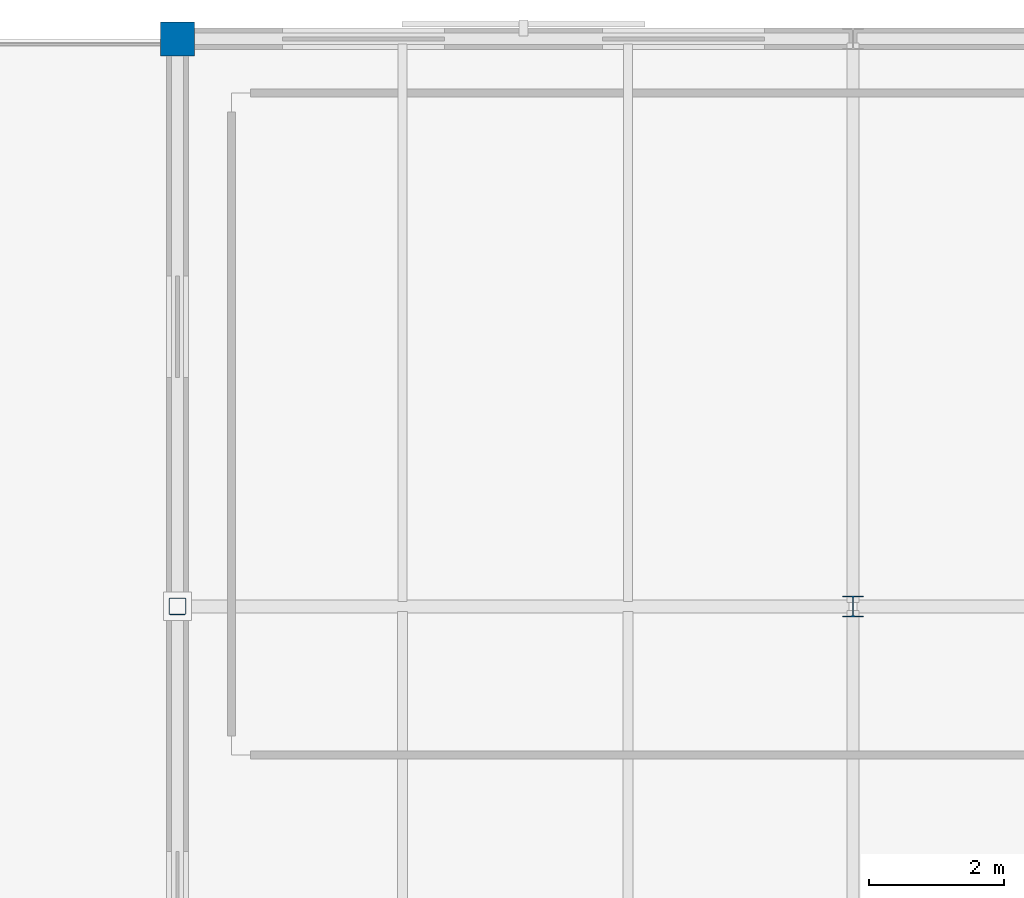
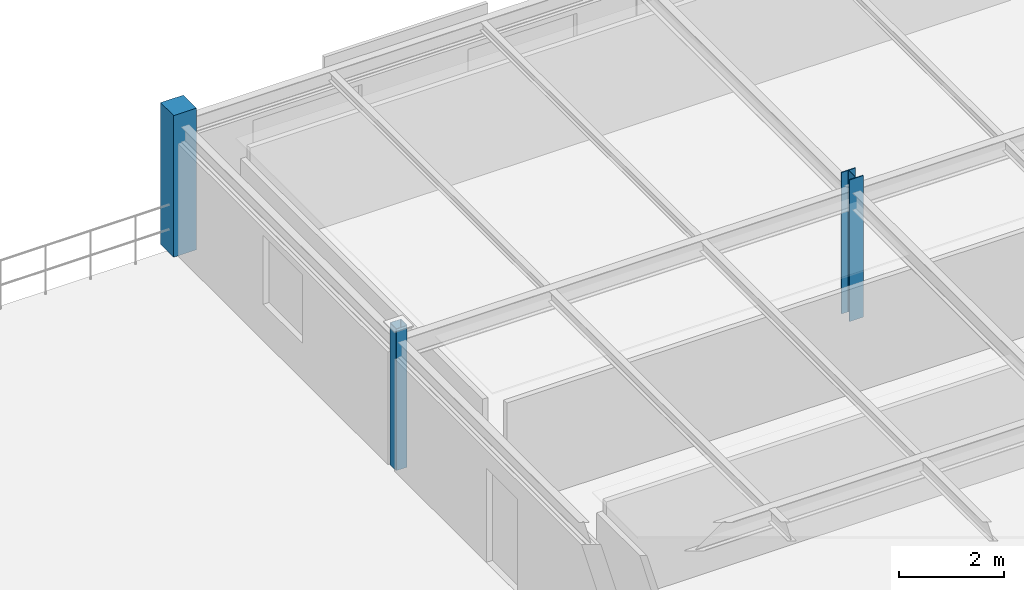
# One storey, part 3 of 23: 3 columns.
"""IFC4 building model written with IfcOpenShell, lengths in metres."""

from ifc_helpers import new_model, si_unit, derived_unit, direction, frame, origin, origin_2d_with_axis, place, context, subcontext, project, spatial, rectangle, hollow_rectangle, i_section, extrude, material, material_profile, profile_set, type_object, element, save


model = new_model("IFC4")

# Units and contexts
model_context = context("Model", 3, precision=1e-05, world=origin(), true_north=direction((0.0, 1.0)))
body_context = subcontext(model_context, "Body", "Model", "MODEL_VIEW")
ifc_project = project(units=[si_unit("LENGTHUNIT", "METRE"), si_unit("AREAUNIT", "SQUARE_METRE"), si_unit("VOLUMEUNIT", "CUBIC_METRE"), si_unit("PLANEANGLEUNIT", "RADIAN"), si_unit("MASSUNIT", "GRAM", prefix="KILO"), derived_unit("THERMALTRANSMITTANCEUNIT", [(si_unit("POWERUNIT", "WATT"), 1), (si_unit("LENGTHUNIT", "METRE"), -2), (si_unit("THERMODYNAMICTEMPERATUREUNIT", "KELVIN"), -1)])], contexts=[model_context])

# Site, building, storey
site_placement = place(None, origin())
site = spatial("IfcSite", under=ifc_project, at=site_placement, CompositionType="ELEMENT")
building_placement = place(site_placement, origin())
building = spatial("IfcBuilding", under=site, at=building_placement, Name="Cinnabar Yard Market Hall", CompositionType="ELEMENT")
storey_placement = place(building_placement, frame((0.0, 0.0, 12.0)))
storey = spatial("IfcBuildingStorey", under=building, at=storey_placement, Name="L03", CompositionType="ELEMENT", Elevation=12.0)

# Columns
ifc_material_1 = material(Name="Steel Grade 300 (300 MPa)", Category="steel")
ifc_material_profile_1 = material_profile(ifc_material_1, i_section(OverallWidth=0.307373046875, OverallDepth=0.314697265625, WebThickness=0.011962890625, FlangeThickness=0.018798828125, FilletRadius=0.0166015625, at=origin_2d_with_axis()), Name="310UC118")
ifc_profile_set_1 = profile_set([ifc_material_profile_1], Name="Steel Grade 300 (300 MPa)")
column_type_1 = type_object("IfcColumnType", Name="COL-C08", PredefinedType="COLUMN", material=ifc_profile_set_1)
column_1_placement = place(storey_placement, frame((86.0, 129.60009765625, 0.0), z_axis=(0.0, 0.0, 1.0), x_axis=(1.0, 0.0, 0.0)))
element("IfcColumn", 1, at=column_1_placement, inside=storey, type_object=column_type_1, Name="Wing Column V3-03-04 L03", PredefinedType="COLUMN", context=body_context, shape_type="SweptSolid", body=[
    extrude(i_section(OverallWidth=0.307373046875, OverallDepth=0.314697265625, WebThickness=0.011962890625, FlangeThickness=0.018798828125, FilletRadius=0.0166015625, at=origin_2d_with_axis()), origin(), (0.0, 0.0, 1.0), 3.300048828125),
])
ifc_material_2 = material(Name="Cold-formed steel C350L0", Category="steel")
ifc_material_profile_2 = material_profile(ifc_material_2, hollow_rectangle(XDim=0.25, YDim=0.25, WallThickness=0.009033203125, InnerFilletRadius=0.009033203125, OuterFilletRadius=0.01806640625, at=origin_2d_with_axis()), Name="250x250x9.0SHS")
ifc_profile_set_2 = profile_set([ifc_material_profile_2], Name="Cold-formed steel C350L0")
column_type_2 = type_object("IfcColumnType", Name="COL-C20E", PredefinedType="COLUMN", material=ifc_profile_set_2)
column_2_placement = place(storey_placement, frame((76.0, 129.60009765625, 0.0), z_axis=(0.0, 0.0, 1.0), x_axis=(1.0, 0.0, 0.0)))
element("IfcColumn", 2, at=column_2_placement, inside=storey, type_object=column_type_2, Name="Wing Column V3-02-04 L03", PredefinedType="COLUMN", context=body_context, shape_type="SweptSolid", body=[
    extrude(hollow_rectangle(XDim=0.25, YDim=0.25, WallThickness=0.009033203125, InnerFilletRadius=0.009033203125, OuterFilletRadius=0.01806640625, at=origin_2d_with_axis()), origin(), (0.0, 0.0, 1.0), 3.300048828125),
])
ifc_material_3 = material(Name="Concrete 40 MPa", Category="concrete")
ifc_material_profile_3 = material_profile(ifc_material_3, rectangle(XDim=0.5, YDim=0.5, at=origin_2d_with_axis()), Name="RC-500x500")
ifc_profile_set_3 = profile_set([ifc_material_profile_3], Name="Concrete 40 MPa")
column_type_3 = type_object("IfcColumnType", Name="COL-RC1E", PredefinedType="COLUMN", material=ifc_profile_set_3)
column_3_placement = place(storey_placement, frame((76.0, 138.0, 0.0), z_axis=(0.0, 0.0, 1.0), x_axis=(1.0, 0.0, 0.0)))
element("IfcColumn", 3, at=column_3_placement, inside=storey, type_object=column_type_3, Name="Wing Column V3-02-05 L03", PredefinedType="COLUMN", context=body_context, shape_type="SweptSolid", body=[
    extrude(rectangle(XDim=0.5, YDim=0.5, at=origin_2d_with_axis()), origin(), (0.0, 0.0, 1.0), 3.300048828125),
])

save(model, "model.ifc")
